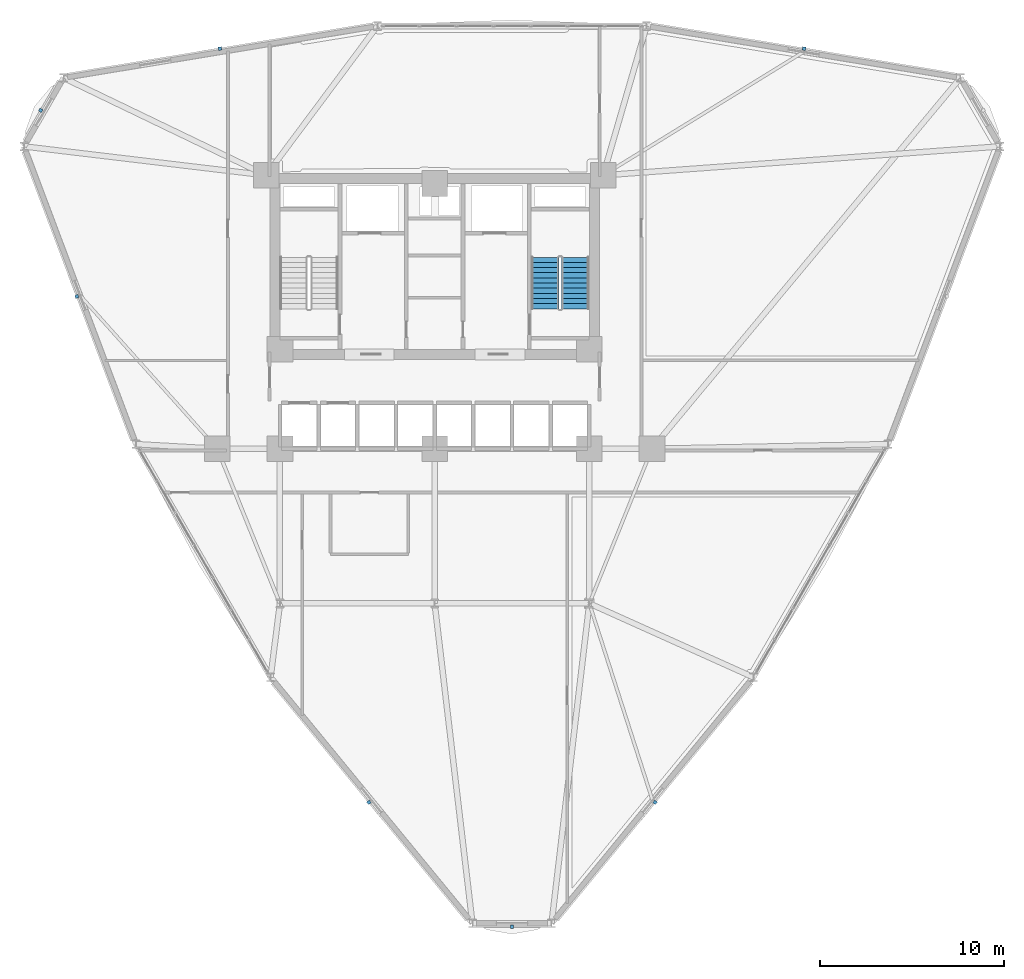
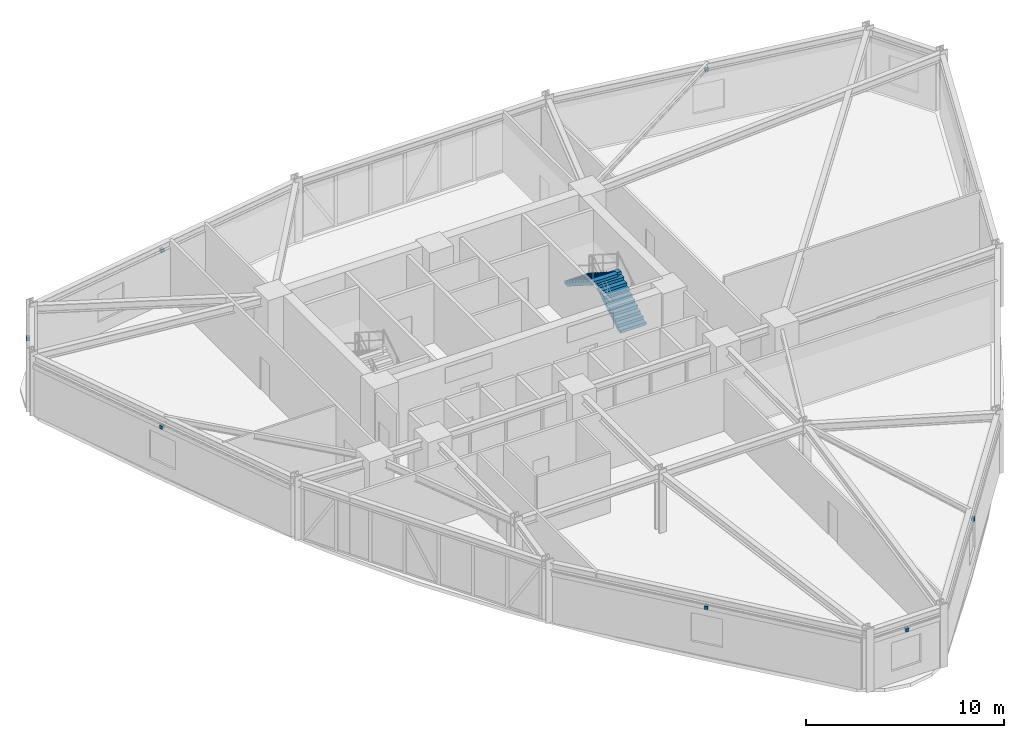
# One storey, part 16 of 20: 7 discrete accessories, 2 stair flights, 1 element without a shape of its own.
"""IFC4 building model written with IfcOpenShell, lengths in metres."""

from ifc_helpers import new_model, si_unit, derived_unit, direction, frame, origin, origin_2d, place, context, subcontext, project, spatial, polyline, rectangle, outline, extrude, source, transform, mapped, material, type_object, element, aggregate, save


model = new_model("IFC4")

# Units and contexts
model_context = context("Model", 3, precision=1e-05, world=origin(), true_north=direction((0.0, 1.0)))
body_context = subcontext(model_context, "Body", "Model", "MODEL_VIEW")
ifc_project = project(units=[si_unit("LENGTHUNIT", "METRE"), si_unit("AREAUNIT", "SQUARE_METRE"), si_unit("VOLUMEUNIT", "CUBIC_METRE"), si_unit("PLANEANGLEUNIT", "RADIAN"), si_unit("MASSUNIT", "GRAM", prefix="KILO"), derived_unit("THERMALTRANSMITTANCEUNIT", [(si_unit("POWERUNIT", "WATT"), 1), (si_unit("LENGTHUNIT", "METRE"), -2), (si_unit("THERMODYNAMICTEMPERATUREUNIT", "KELVIN"), -1)])], contexts=[model_context])

# Site, building, storey
site_placement = place(None, origin())
site = spatial("IfcSite", under=ifc_project, at=site_placement, CompositionType="ELEMENT")
building_placement = place(site_placement, origin())
building = spatial("IfcBuilding", under=site, at=building_placement, Name="Korsvarv Bourse and Concert Hall", CompositionType="ELEMENT")
storey_placement = place(building_placement, frame((0.0, 0.0, 87.300048828125)))
storey = spatial("IfcBuildingStorey", under=building, at=storey_placement, Name="L21", CompositionType="ELEMENT", Elevation=87.300048828125)

# Stair, stair flights
ifc_material_1 = material(Name="Precast concrete C45/55", Category="concrete")
stair_type = type_object("IfcStairType", Name="STR-TYPE-03", PredefinedType="HALF_TURN_STAIR", material=ifc_material_1)
stair_placement = place(storey_placement, origin())
stair = element("IfcStair", 1, at=stair_placement, inside=storey, type_object=stair_type, Name="L21 Tower East Exit Stair ST-T2", PredefinedType="HALF_TURN_STAIR")
stair_flight_type = type_object("IfcStairFlightType", Name="FLT-TYPE-03", PredefinedType="STRAIGHT", material=ifc_material_1)
stair_flight_1_placement = place(storey_placement, frame((43.64990234375, 40.0, 0.0), z_axis=(0.0, 0.0, 1.0), x_axis=(0.0, 1.0, 0.0)))
stair_flight_1 = element("IfcStairFlight", 2, at=stair_flight_1_placement, type_object=stair_flight_type, Name="ST-T2 flight 1", NumberOfRisers=11, NumberOfTreads=10, PredefinedType="STRAIGHT", RiserHeight=0.177272727, TreadLength=0.28, context=body_context, shape_type="SweptSolid", body=[
    extrude(outline(polyline([(0.0, 0.0), (0.0, 0.17724609375), (0.280029296875, 0.17724609375), (0.280029296875, 0.3544921875), (0.56005859375, 0.3544921875), (0.56005859375, 0.53173828125), (0.840087890625, 0.53173828125), (0.840087890625, 0.708984375), (1.1201171875, 0.708984375), (1.1201171875, 0.886474609375), (1.39990234375, 0.886474609375), (1.39990234375, 1.063720703125), (1.679931640625, 1.063720703125), (1.679931640625, 1.240966796875), (1.9599609375, 1.240966796875), (1.9599609375, 1.418212890625), (2.239990234375, 1.418212890625), (2.239990234375, 1.595458984375), (2.52001953125, 1.595458984375), (2.52001953125, 1.772705078125), (2.800048828125, 1.772705078125), (2.800048828125, 1.949951171875), (2.800048828125, 1.59521484375), (0.2802734375, 0.0), (0.0, 0.0)])), frame((0.0, 0.75, 0.0), z_axis=(0.0, -1.0, 0.0), x_axis=(1.0, 0.0, 0.0)), (0.0, 0.0, 1.0), 1.5),
])
stair_flight_2_placement = place(storey_placement, frame((41.989990234375, 42.800048828125, 1.949951171875), z_axis=(0.0, 0.0, 1.0), x_axis=(0.0, -1.0, 0.0)))
stair_flight_2 = element("IfcStairFlight", 3, at=stair_flight_2_placement, type_object=stair_flight_type, Name="ST-T2 flight 2", NumberOfRisers=11, NumberOfTreads=10, PredefinedType="STRAIGHT", RiserHeight=0.177272727, TreadLength=0.28, context=body_context, shape_type="SweptSolid", body=[
    extrude(outline(polyline([(0.0, 0.0), (0.0, 0.17724609375), (0.280029296875, 0.17724609375), (0.280029296875, 0.3544921875), (0.56005859375, 0.3544921875), (0.56005859375, 0.53173828125), (0.840087890625, 0.53173828125), (0.840087890625, 0.708984375), (1.1201171875, 0.708984375), (1.1201171875, 0.886474609375), (1.39990234375, 0.886474609375), (1.39990234375, 1.063720703125), (1.679931640625, 1.063720703125), (1.679931640625, 1.240966796875), (1.9599609375, 1.240966796875), (1.9599609375, 1.418212890625), (2.239990234375, 1.418212890625), (2.239990234375, 1.595458984375), (2.52001953125, 1.595458984375), (2.52001953125, 1.772705078125), (2.800048828125, 1.772705078125), (2.800048828125, 1.949951171875), (2.800048828125, 1.59521484375), (0.2802734375, 0.0), (0.0, 0.0)])), frame((0.0, 0.75, 0.0), z_axis=(0.0, -1.0, 0.0), x_axis=(1.0, 0.0, 0.0)), (0.0, 0.0, 1.0), 1.5),
])
aggregate(stair, [stair_flight_1, stair_flight_2])

# Discrete accessories
ifc_material_2 = material(Name="Stainless Steel S355 facade outrigger bracket", Category="steel")
discrete_accessory_type = type_object("IfcDiscreteAccessoryType", Name="ACC-BRK-1", PredefinedType="BRACKET", material=ifc_material_2)
shared_shape = source(origin(), body_context, "Body", "SweptSolid", [
    extrude(rectangle(XDim=0.179931640625, YDim=0.179931640625, at=origin_2d()), origin(), (0.0, 0.0, 1.0), 0.199951171875),
])
for number, where, z_axis, x_axis, name in (
    (4, (56.06103515625, 54.128662109375, 2.97021484375), (0.0, 0.0, 1.0), (-0.98665754364, 0.162809371901, 0.0), "L21 terracotta sunshade bracket EW-L21-B02"),
    (5, (24.3388671875, 54.128662109375, 2.97021484375), (0.0, 0.0, 1.0), (-0.98665754364, -0.162809371901, 0.0), "L21 terracotta sunshade bracket EW-L21-B04"),
    (6, (14.605712890625, 50.77685546875, 2.97021484375), (0.0, 0.0, 1.0), (-0.5, -0.866025403784, 0.0), "L21 terracotta sunshade bracket EW-L21-B05"),
    (7, (16.569580078125, 40.671875, 2.97021484375), (0.0, 0.0, 1.0), (0.352331719779, -0.935875183578, 0.0), "L21 terracotta sunshade bracket EW-L21-B06"),
    (8, (32.4306640625, 13.19970703125, 2.97021484375), (0.0, 0.0, 1.0), (0.63432582386, -0.773065811677, 0.0), "L21 terracotta sunshade bracket EW-L21-B08"),
    (9, (40.199951171875, 6.4462890625, 2.97021484375), (0.0, 0.0, 1.0), (1.0, 0.0, 0.0), "L21 terracotta sunshade bracket EW-L21-B09"),
    (10, (47.96923828125, 13.19970703125, 2.97021484375), (0.0, 0.0, 1.0), (0.63432582386, 0.773065811677, 0.0), "L21 terracotta sunshade bracket EW-L21-B10"),
):
    element("IfcDiscreteAccessory", number, at=place(storey_placement, frame(where, z_axis=z_axis, x_axis=x_axis)), inside=storey, type_object=discrete_accessory_type, Name=name, PredefinedType="BRACKET", context=body_context, shape_type="MappedRepresentation", body=[
        mapped(shared_shape, transform((0.0, 0.0, 0.0), scale=1.0)),
    ])

save(model, "model.ifc")
